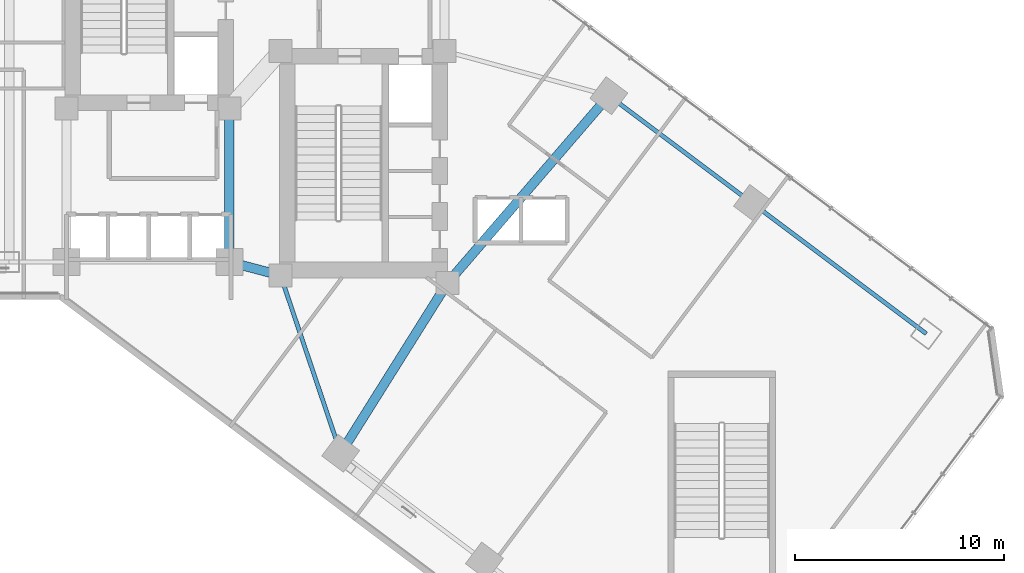
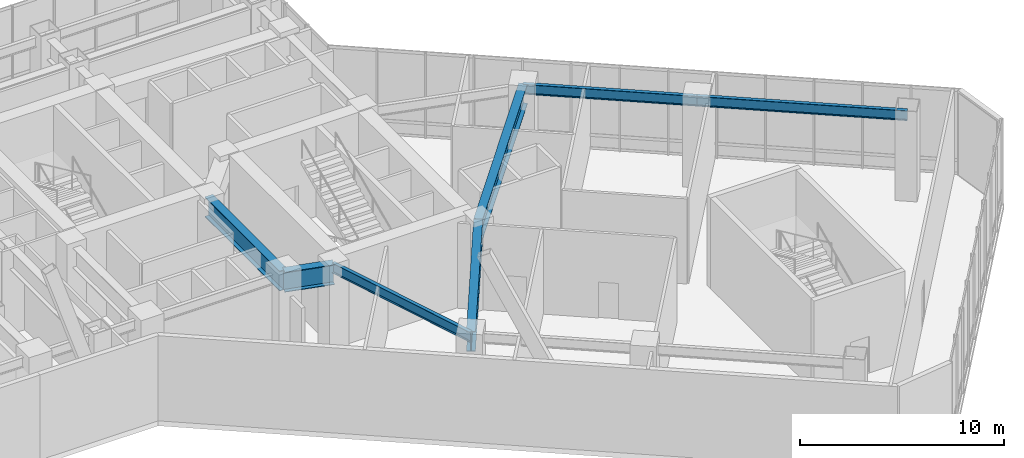
# One storey, part 6 of 35: 7 beams.
"""IFC4 building model written with IfcOpenShell, lengths in metres."""

from ifc_helpers import new_model, si_unit, direction, frame, origin, origin_2d, place, context, subcontext, project, spatial, i_section, extrude, material, material_profile, profile_set, type_object, element, save


model = new_model("IFC4")

# Units and contexts
model_context = context("Model", 3, precision=1e-05, world=origin(), true_north=direction((0.0, 1.0)))
body_context = subcontext(model_context, "Body", "Model", "MODEL_VIEW")
ifc_project = project(units=[si_unit("LENGTHUNIT", "METRE"), si_unit("AREAUNIT", "SQUARE_METRE"), si_unit("VOLUMEUNIT", "CUBIC_METRE"), si_unit("PLANEANGLEUNIT", "RADIAN"), si_unit("MASSUNIT", "GRAM", prefix="KILO")], contexts=[model_context])

# Site, building, storey
site_placement = place(None, origin())
site = spatial("IfcSite", under=ifc_project, at=site_placement, CompositionType="ELEMENT")
building_placement = place(site_placement, origin())
building = spatial("IfcBuilding", under=site, at=building_placement, Name="Hatsunagi Terrace Concourse", CompositionType="ELEMENT")
storey_placement = place(building_placement, frame((0.0, 0.0, 10.800048828125)))
storey = spatial("IfcBuildingStorey", under=building, at=storey_placement, Name="L03", CompositionType="ELEMENT", Elevation=10.800048828125)

# Beams
ifc_material_1 = material(Name="Steel SN490B", Category="steel")
ifc_material_profile_1 = material_profile(ifc_material_1, i_section(OverallWidth=0.199951171875, OverallDepth=0.60009765625, WebThickness=0.010986328125, FlangeThickness=0.01708984375, FilletRadius=0.01806640625, at=origin_2d()), Name="H-600x200x11x17")
ifc_profile_set_1 = profile_set([ifc_material_profile_1], Name="Steel SN490B")
beam_type_1 = type_object("IfcBeamType", Name="PerimeterSpandrel_H_600x200", PredefinedType="SPANDREL", material=ifc_profile_set_1)
beam_1_placement = place(storey_placement, frame((35.800048828125, 24.550048828125, 4.800048828125), z_axis=(0.320553412271, -0.947230441805, 0.0), x_axis=(0.947230441805, 0.320553412271, 0.0)))
element("IfcBeam", 1, at=beam_1_placement, inside=storey, type_object=beam_type_1, Name="Beam SP-01 BM-L03-SE-SW0", PredefinedType="SPANDREL", context=body_context, shape_type="SweptSolid", body=[
    extrude(i_section(OverallWidth=0.199951171875, OverallDepth=0.60009765625, WebThickness=0.010986328125, FlangeThickness=0.01708984375, FilletRadius=0.01806640625, at=origin_2d()), origin(), (0.0, 0.0, 1.0), 8.984130859375),
])
beam_2_placement = place(storey_placement, frame((51.52001953125, 33.159912109375, 4.800048828125), z_axis=(0.8, -0.6, 0.0), x_axis=(0.6, 0.8, 0.0)))
element("IfcBeam", 2, at=beam_2_placement, inside=storey, type_object=beam_type_1, Name="Beam SP-01 BM-L03-SE-NE2", PredefinedType="SPANDREL", context=body_context, shape_type="SweptSolid", body=[
    extrude(i_section(OverallWidth=0.199951171875, OverallDepth=0.60009765625, WebThickness=0.010986328125, FlangeThickness=0.01708984375, FilletRadius=0.01806640625, at=origin_2d()), origin(), (0.0, 0.0, 1.0), 8.599853515625),
])
beam_3_placement = place(storey_placement, frame((58.39990234375, 28.0, 4.800048828125), z_axis=(0.800002816985, -0.599996244001, 0.0), x_axis=(0.599996244001, 0.800002816985, 0.0)))
element("IfcBeam", 3, at=beam_3_placement, inside=storey, type_object=beam_type_1, Name="Beam SP-01 BM-L03-SE-NE3", PredefinedType="SPANDREL", context=body_context, shape_type="SweptSolid", body=[
    extrude(i_section(OverallWidth=0.199951171875, OverallDepth=0.60009765625, WebThickness=0.010986328125, FlangeThickness=0.01708984375, FilletRadius=0.01806640625, at=origin_2d()), origin(), (0.0, 0.0, 1.0), 10.400146484375),
])
ifc_material_2 = material(Name="Steel SN490B", Category="steel")
ifc_material_profile_2 = material_profile(ifc_material_2, i_section(OverallWidth=0.449951171875, OverallDepth=1.199951171875, WebThickness=0.02490234375, FlangeThickness=0.035888671875, at=origin_2d()), Name="BH-1200x450x25x36")
ifc_profile_set_2 = profile_set([ifc_material_profile_2], Name="Steel SN490B")
beam_type_2 = type_object("IfcBeamType", Name="PodiumHallGirder_BH_1200x450x25x36", PredefinedType="BEAM", material=ifc_profile_set_2)
beam_4_placement = place(storey_placement, frame((33.35009765625, 25.199951171875, 4.5), z_axis=(0.0, 1.0, 0.0), x_axis=(-1.0, 0.0, 0.0)))
element("IfcBeam", 4, at=beam_4_placement, inside=storey, type_object=beam_type_2, Name="Beam G-01 BM-L03-K2CA", PredefinedType="BEAM", context=body_context, shape_type="SweptSolid", body=[
    extrude(i_section(OverallWidth=0.449951171875, OverallDepth=1.199951171875, WebThickness=0.02490234375, FlangeThickness=0.035888671875, at=origin_2d()), origin(), (0.0, 0.0, 1.0), 7.35009765625),
])
beam_5_placement = place(storey_placement, frame((33.35009765625, 25.199951171875, 4.5), z_axis=(0.966569840116, -0.256403479262, 0.0), x_axis=(0.256403479262, 0.966569840116, 0.0)))
element("IfcBeam", 5, at=beam_5_placement, inside=storey, type_object=beam_type_2, Name="Beam G-01 BM-L03-K2CB", PredefinedType="BEAM", context=body_context, shape_type="SweptSolid", body=[
    extrude(i_section(OverallWidth=0.449951171875, OverallDepth=1.199951171875, WebThickness=0.02490234375, FlangeThickness=0.035888671875, at=origin_2d()), origin(), (0.0, 0.0, 1.0), 2.53466796875),
])
beam_6_placement = place(storey_placement, frame((38.679931640625, 16.0400390625, 4.5), z_axis=(0.531503907049, 0.847055840421, 0.0), x_axis=(-0.847055840421, 0.531503907049, 0.0)))
element("IfcBeam", 6, at=beam_6_placement, inside=storey, type_object=beam_type_2, Name="Beam G-01 BM-L03-SET-1A", PredefinedType="BEAM", context=body_context, shape_type="SweptSolid", body=[
    extrude(i_section(OverallWidth=0.449951171875, OverallDepth=1.199951171875, WebThickness=0.02490234375, FlangeThickness=0.035888671875, at=origin_2d()), origin(), (0.0, 0.0, 1.0), 9.63330078125),
])
beam_7_placement = place(storey_placement, frame((43.800048828125, 24.199951171875, 4.5), z_axis=(0.652739101421, 0.757582777969, 0.0), x_axis=(-0.757582777969, 0.652739101421, 0.0)))
element("IfcBeam", 7, at=beam_7_placement, inside=storey, type_object=beam_type_2, Name="Beam G-01 BM-L03-SET-1B", PredefinedType="BEAM", context=body_context, shape_type="SweptSolid", body=[
    extrude(i_section(OverallWidth=0.449951171875, OverallDepth=1.199951171875, WebThickness=0.02490234375, FlangeThickness=0.035888671875, at=origin_2d()), origin(), (0.0, 0.0, 1.0), 11.8271484375),
])

save(model, "model.ifc")
